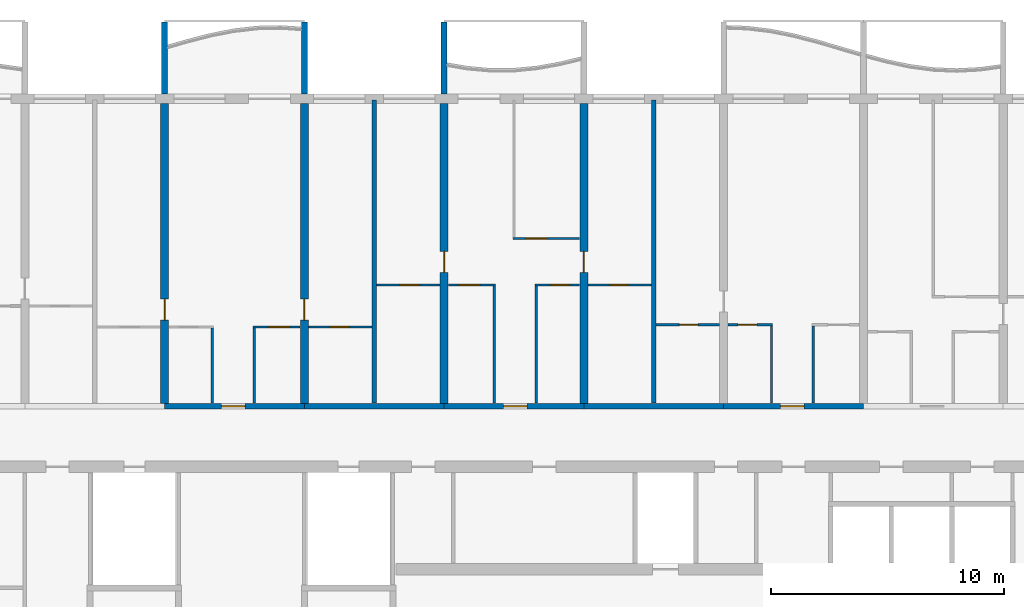
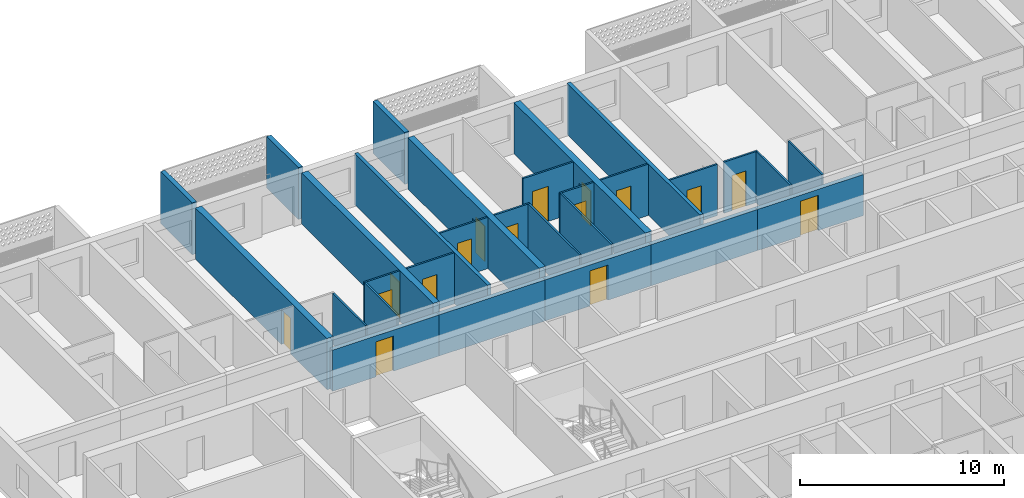
# One storey, part 10 of 30: 29 walls, 16 doors, 16 openings.
"""IFC4 building model written with IfcOpenShell, lengths in metres."""

from ifc_helpers import new_model, si_unit, direction, frame, frame_2d, origin, place, context, subcontext, project, spatial, polyline, rectangle, outline, extrude, source, transform, mapped, material, layer, layer_set, type_object, element, fill, save


model = new_model("IFC4")

# Units and contexts
model_context = context("Model", 3, precision=1e-05, world=origin(), true_north=direction((0.0, 1.0)))
body_context = subcontext(model_context, "Body", "Model", "MODEL_VIEW")
ifc_project = project(units=[si_unit("LENGTHUNIT", "METRE"), si_unit("AREAUNIT", "SQUARE_METRE"), si_unit("VOLUMEUNIT", "CUBIC_METRE"), si_unit("PLANEANGLEUNIT", "RADIAN"), si_unit("MASSUNIT", "GRAM", prefix="KILO")], contexts=[model_context])

# Site, building, storey
site_placement = place(None, origin())
site = spatial("IfcSite", under=ifc_project, at=site_placement, CompositionType="ELEMENT")
building_placement = place(site_placement, origin())
building = spatial("IfcBuilding", under=site, at=building_placement, Name="Poui Terraces", CompositionType="ELEMENT")
storey_placement = place(building_placement, frame((0.0, 0.0, 99.300048828125)))
storey = spatial("IfcBuildingStorey", under=building, at=storey_placement, Name="L27", CompositionType="ELEMENT", Elevation=99.300048828125)

# Wall, opening, door
ifc_material_1 = material(Name="Concrete 65 MPa", Category="concrete")
ifc_layer_1 = layer(ifc_material_1, 0.25)
ifc_layer_set_1 = layer_set([ifc_layer_1], Name="Concrete 65 MPa")
wall_type_1 = type_object("IfcWallType", Name="CORRIDOR WALL 250 65MPa", PredefinedType="SHEAR", material=ifc_layer_set_1)
wall_1_placement = place(storey_placement, frame((24.0, 30.39990234375, 0.0), z_axis=(0.0, 0.0, 1.0), x_axis=(1.0, 0.0, 0.0)))
wall_1 = element("IfcWall", 1, at=wall_1_placement, inside=storey, type_object=wall_type_1, Name="CORRIDOR WALL LINE E BAY 4", PredefinedType="SHEAR", context=body_context, shape_type="SweptSolid", body=[
    extrude(rectangle(XDim=6.0, YDim=0.25, at=frame_2d((3.0, 0.0))), origin(), (0.0, 0.0, 1.0), 2.4599609375),
])
opening_1_placement = place(wall_1_placement, frame((2.449951171875, 0.0, 0.0)))
opening_1 = element("IfcOpeningElement", 2, at=opening_1_placement, cuts=wall_1, Name="Opening FD30S", PredefinedType="OPENING", context=body_context, shape_type="SweptSolid", body=[
    extrude(rectangle(XDim=1.0, YDim=2.10009765625, at=frame_2d((0.5, 1.050048828125))), frame((0.0, 0.135009765625, 0.0), z_axis=(0.0, -1.0, 0.0), x_axis=(1.0, 0.0, 0.0)), (0.0, 0.0, 1.0), 0.27001953125),
])
ifc_material_2 = material(Name="Steel fire door", Category="steel")
door_type_1 = type_object("IfcDoorType", Name="FLAT ENTRANCE DOOR 1000 X 2100", OperationType="NOTDEFINED", PredefinedType="DOOR", material=ifc_material_2)
door_1_placement = place(opening_1_placement, origin())
door_1 = element("IfcDoor", 3, at=door_1_placement, inside=storey, type_object=door_type_1, Name="FLAT ENTRANCE DOOR 042", OperationType="SINGLE_SWING_LEFT", OverallHeight=2.10009765625, OverallWidth=1.0, PredefinedType="DOOR", context=body_context, shape_type="SweptSolid", body=[
    extrude(rectangle(XDim=1.0, YDim=2.10009765625, at=frame_2d((0.5, 1.050048828125))), frame((0.0, 0.02490234375, 0.0), z_axis=(0.0, -1.0, 0.0), x_axis=(1.0, 0.0, 0.0)), (0.0, 0.0, 1.0), 0.050048828125),
])
fill(opening_1, door_1)

# Wall
wall_2_placement = place(storey_placement, frame((30.0, 30.39990234375, 0.0), z_axis=(0.0, 0.0, 1.0), x_axis=(1.0, 0.0, 0.0)))
element("IfcWall", 4, at=wall_2_placement, inside=storey, type_object=wall_type_1, Name="CORRIDOR WALL LINE E BAY 5", PredefinedType="SHEAR", context=body_context, shape_type="SweptSolid", body=[
    extrude(rectangle(XDim=6.0, YDim=0.25, at=frame_2d((3.0, 0.0))), origin(), (0.0, 0.0, 1.0), 2.4599609375),
])

# Wall, opening, door
wall_3_placement = place(storey_placement, frame((36.0, 30.39990234375, 0.0), z_axis=(0.0, 0.0, 1.0), x_axis=(1.0, 0.0, 0.0)))
wall_3 = element("IfcWall", 5, at=wall_3_placement, inside=storey, type_object=wall_type_1, Name="CORRIDOR WALL LINE E BAY 6", PredefinedType="SHEAR", context=body_context, shape_type="SweptSolid", body=[
    extrude(rectangle(XDim=6.0, YDim=0.25, at=frame_2d((3.0, 0.0))), origin(), (0.0, 0.0, 1.0), 2.4599609375),
])
opening_2_placement = place(wall_3_placement, frame((2.550048828125, 0.0, 0.0)))
opening_2 = element("IfcOpeningElement", 6, at=opening_2_placement, cuts=wall_3, Name="Opening FD30S", PredefinedType="OPENING", context=body_context, shape_type="SweptSolid", body=[
    extrude(rectangle(XDim=1.0, YDim=2.10009765625, at=frame_2d((0.5, 1.050048828125))), frame((0.0, 0.135009765625, 0.0), z_axis=(0.0, -1.0, 0.0), x_axis=(1.0, 0.0, 0.0)), (0.0, 0.0, 1.0), 0.27001953125),
])
door_2_placement = place(opening_2_placement, origin())
door_2 = element("IfcDoor", 7, at=door_2_placement, inside=storey, type_object=door_type_1, Name="FLAT ENTRANCE DOOR 049", OperationType="SINGLE_SWING_RIGHT", OverallHeight=2.10009765625, OverallWidth=1.0, PredefinedType="DOOR", context=body_context, shape_type="SweptSolid", body=[
    extrude(rectangle(XDim=1.0, YDim=2.10009765625, at=frame_2d((0.5, 1.050048828125))), frame((0.0, 0.02490234375, 0.0), z_axis=(0.0, -1.0, 0.0), x_axis=(1.0, 0.0, 0.0)), (0.0, 0.0, 1.0), 0.050048828125),
])
fill(opening_2, door_2)

# Wall
wall_4_placement = place(storey_placement, frame((42.0, 30.39990234375, 0.0), z_axis=(0.0, 0.0, 1.0), x_axis=(1.0, 0.0, 0.0)))
element("IfcWall", 8, at=wall_4_placement, inside=storey, type_object=wall_type_1, Name="CORRIDOR WALL LINE E BAY 7", PredefinedType="SHEAR", context=body_context, shape_type="SweptSolid", body=[
    extrude(rectangle(XDim=6.0, YDim=0.25, at=frame_2d((3.0, 0.0))), origin(), (0.0, 0.0, 1.0), 2.4599609375),
])

# Wall, opening, door
wall_5_placement = place(storey_placement, frame((48.0, 30.39990234375, 0.0), z_axis=(0.0, 0.0, 1.0), x_axis=(1.0, 0.0, 0.0)))
wall_5 = element("IfcWall", 9, at=wall_5_placement, inside=storey, type_object=wall_type_1, Name="CORRIDOR WALL LINE E BAY 8", PredefinedType="SHEAR", context=body_context, shape_type="SweptSolid", body=[
    extrude(rectangle(XDim=6.0, YDim=0.25, at=frame_2d((3.0, 0.0))), origin(), (0.0, 0.0, 1.0), 2.4599609375),
])
opening_3_placement = place(wall_5_placement, frame((2.449951171875, 0.0, 0.0)))
opening_3 = element("IfcOpeningElement", 10, at=opening_3_placement, cuts=wall_5, Name="Opening FD30S", PredefinedType="OPENING", context=body_context, shape_type="SweptSolid", body=[
    extrude(rectangle(XDim=1.0, YDim=2.10009765625, at=frame_2d((0.5, 1.050048828125))), frame((0.0, 0.135009765625, 0.0), z_axis=(0.0, -1.0, 0.0), x_axis=(1.0, 0.0, 0.0)), (0.0, 0.0, 1.0), 0.27001953125),
])
door_3_placement = place(opening_3_placement, origin())
door_3 = element("IfcDoor", 11, at=door_3_placement, inside=storey, type_object=door_type_1, Name="FLAT ENTRANCE DOOR 056", OperationType="SINGLE_SWING_LEFT", OverallHeight=2.10009765625, OverallWidth=1.0, PredefinedType="DOOR", context=body_context, shape_type="SweptSolid", body=[
    extrude(rectangle(XDim=1.0, YDim=2.10009765625, at=frame_2d((0.5, 1.050048828125))), frame((0.0, 0.02490234375, 0.0), z_axis=(0.0, -1.0, 0.0), x_axis=(1.0, 0.0, 0.0)), (0.0, 0.0, 1.0), 0.050048828125),
])
fill(opening_3, door_3)

ifc_layer_2 = layer(ifc_material_1, 0.35009765625)
ifc_layer_set_2 = layer_set([ifc_layer_2], Name="Concrete 65 MPa")
wall_type_2 = type_object("IfcWallType", Name="CROSS WALL 350 65MPa", PredefinedType="SHEAR", material=ifc_layer_set_2)
wall_6_placement = place(storey_placement, frame((24.0, 30.52490234375, 0.0), z_axis=(0.0, 0.0, 1.0), x_axis=(0.0, 1.0, 0.0)))
wall_6 = element("IfcWall", 12, at=wall_6_placement, inside=storey, type_object=wall_type_2, Name="CROSS WALL LINE 5 NORTH", PredefinedType="SHEAR", context=body_context, shape_type="SweptSolid", body=[
    extrude(rectangle(XDim=12.875, YDim=0.35009765625, at=frame_2d((6.4375, 0.0))), origin(), (0.0, 0.0, 1.0), 3.06005859375),
])
opening_4_placement = place(wall_6_placement, frame((3.574951171875, 0.0, 0.0)))
opening_4 = element("IfcOpeningElement", 13, at=opening_4_placement, cuts=wall_6, Name="Opening D90", PredefinedType="OPENING", context=body_context, shape_type="SweptSolid", body=[
    extrude(rectangle(XDim=0.89990234375, YDim=2.10009765625, at=frame_2d((0.449951171875, 1.050048828125))), frame((0.0, 0.18505859375, 0.0), z_axis=(0.0, -1.0, 0.0), x_axis=(1.0, 0.0, 0.0)), (0.0, 0.0, 1.0), 0.3701171875),
])
ifc_material_3 = material(Name="Solid core timber door", Category="wood")
door_type_2 = type_object("IfcDoorType", Name="INTERNAL DOOR 900 X 2100", OperationType="NOTDEFINED", PredefinedType="DOOR", material=ifc_material_3)
door_4_placement = place(opening_4_placement, origin())
door_4 = element("IfcDoor", 14, at=door_4_placement, inside=storey, type_object=door_type_2, Name="INTERNAL DOOR 040", OperationType="SINGLE_SWING_LEFT", OverallHeight=2.10009765625, OverallWidth=0.89990234375, PredefinedType="DOOR", context=body_context, shape_type="SweptSolid", body=[
    extrude(rectangle(XDim=0.89990234375, YDim=2.10009765625, at=frame_2d((0.449951171875, 1.050048828125))), frame((0.0, 0.02490234375, 0.0), z_axis=(0.0, -1.0, 0.0), x_axis=(1.0, 0.0, 0.0)), (0.0, 0.0, 1.0), 0.050048828125),
])
fill(opening_4, door_4)

wall_7_placement = place(storey_placement, frame((30.0, 30.52490234375, 0.0), z_axis=(0.0, 0.0, 1.0), x_axis=(0.0, 1.0, 0.0)))
wall_7 = element("IfcWall", 15, at=wall_7_placement, inside=storey, type_object=wall_type_2, Name="CROSS WALL LINE 6 NORTH", PredefinedType="SHEAR", context=body_context, shape_type="SweptSolid", body=[
    extrude(rectangle(XDim=12.875, YDim=0.35009765625, at=frame_2d((6.4375, 0.0))), origin(), (0.0, 0.0, 1.0), 3.06005859375),
])
opening_5_placement = place(wall_7_placement, frame((3.574951171875, 0.0, 0.0)))
opening_5 = element("IfcOpeningElement", 16, at=opening_5_placement, cuts=wall_7, Name="Opening D90", PredefinedType="OPENING", context=body_context, shape_type="SweptSolid", body=[
    extrude(rectangle(XDim=0.89990234375, YDim=2.10009765625, at=frame_2d((0.449951171875, 1.050048828125))), frame((0.0, 0.18505859375, 0.0), z_axis=(0.0, -1.0, 0.0), x_axis=(1.0, 0.0, 0.0)), (0.0, 0.0, 1.0), 0.3701171875),
])
door_5_placement = place(opening_5_placement, frame((0.89990234375, 0.0, 0.0), z_axis=(0.0, 0.0, 1.0), x_axis=(-1.0, 0.0, 0.0)))
door_5 = element("IfcDoor", 17, at=door_5_placement, inside=storey, type_object=door_type_2, Name="INTERNAL DOOR 044", OperationType="SINGLE_SWING_RIGHT", OverallHeight=2.10009765625, OverallWidth=0.89990234375, PredefinedType="DOOR", context=body_context, shape_type="SweptSolid", body=[
    extrude(rectangle(XDim=0.89990234375, YDim=2.10009765625, at=frame_2d((0.449951171875, 1.050048828125))), frame((0.0, 0.02490234375, 0.0), z_axis=(0.0, -1.0, 0.0), x_axis=(1.0, 0.0, 0.0)), (0.0, 0.0, 1.0), 0.050048828125),
])
fill(opening_5, door_5)

wall_8_placement = place(storey_placement, frame((36.0, 30.52490234375, 0.0), z_axis=(0.0, 0.0, 1.0), x_axis=(0.0, 1.0, 0.0)))
wall_8 = element("IfcWall", 18, at=wall_8_placement, inside=storey, type_object=wall_type_2, Name="CROSS WALL LINE 7 NORTH", PredefinedType="SHEAR", context=body_context, shape_type="SweptSolid", body=[
    extrude(rectangle(XDim=12.875, YDim=0.35009765625, at=frame_2d((6.4375, 0.0))), origin(), (0.0, 0.0, 1.0), 3.06005859375),
])
opening_6_placement = place(wall_8_placement, frame((5.625, 0.0, 0.0)))
opening_6 = element("IfcOpeningElement", 19, at=opening_6_placement, cuts=wall_8, Name="Opening D90", PredefinedType="OPENING", context=body_context, shape_type="SweptSolid", body=[
    extrude(rectangle(XDim=0.89990234375, YDim=2.10009765625, at=frame_2d((0.449951171875, 1.050048828125))), frame((0.0, 0.18505859375, 0.0), z_axis=(0.0, -1.0, 0.0), x_axis=(1.0, 0.0, 0.0)), (0.0, 0.0, 1.0), 0.3701171875),
])
door_6_placement = place(opening_6_placement, origin())
door_6 = element("IfcDoor", 20, at=door_6_placement, inside=storey, type_object=door_type_2, Name="INTERNAL DOOR 047", OperationType="SINGLE_SWING_LEFT", OverallHeight=2.10009765625, OverallWidth=0.89990234375, PredefinedType="DOOR", context=body_context, shape_type="SweptSolid", body=[
    extrude(rectangle(XDim=0.89990234375, YDim=2.10009765625, at=frame_2d((0.449951171875, 1.050048828125))), frame((0.0, 0.02490234375, 0.0), z_axis=(0.0, -1.0, 0.0), x_axis=(1.0, 0.0, 0.0)), (0.0, 0.0, 1.0), 0.050048828125),
])
fill(opening_6, door_6)

wall_9_placement = place(storey_placement, frame((42.0, 30.52490234375, 0.0), z_axis=(0.0, 0.0, 1.0), x_axis=(0.0, 1.0, 0.0)))
wall_9 = element("IfcWall", 21, at=wall_9_placement, inside=storey, type_object=wall_type_2, Name="CROSS WALL LINE 8 NORTH", PredefinedType="SHEAR", context=body_context, shape_type="SweptSolid", body=[
    extrude(rectangle(XDim=12.875, YDim=0.35009765625, at=frame_2d((6.4375, 0.0))), origin(), (0.0, 0.0, 1.0), 3.06005859375),
])
opening_7_placement = place(wall_9_placement, frame((5.625, 0.0, 0.0)))
opening_7 = element("IfcOpeningElement", 22, at=opening_7_placement, cuts=wall_9, Name="Opening D90", PredefinedType="OPENING", context=body_context, shape_type="SweptSolid", body=[
    extrude(rectangle(XDim=0.89990234375, YDim=2.10009765625, at=frame_2d((0.449951171875, 1.050048828125))), frame((0.0, 0.18505859375, 0.0), z_axis=(0.0, -1.0, 0.0), x_axis=(1.0, 0.0, 0.0)), (0.0, 0.0, 1.0), 0.3701171875),
])
door_7_placement = place(opening_7_placement, frame((0.89990234375, 0.0, 0.0), z_axis=(0.0, 0.0, 1.0), x_axis=(-1.0, 0.0, 0.0)))
door_7 = element("IfcDoor", 23, at=door_7_placement, inside=storey, type_object=door_type_2, Name="INTERNAL DOOR 052", OperationType="SINGLE_SWING_RIGHT", OverallHeight=2.10009765625, OverallWidth=0.89990234375, PredefinedType="DOOR", context=body_context, shape_type="SweptSolid", body=[
    extrude(rectangle(XDim=0.89990234375, YDim=2.10009765625, at=frame_2d((0.449951171875, 1.050048828125))), frame((0.0, 0.02490234375, 0.0), z_axis=(0.0, -1.0, 0.0), x_axis=(1.0, 0.0, 0.0)), (0.0, 0.0, 1.0), 0.050048828125),
])
fill(opening_7, door_7)

ifc_material_4 = material(Name="Plasterboard partition")
ifc_layer_3 = layer(ifc_material_4, 0.10009765625)
ifc_layer_set_3 = layer_set([ifc_layer_3], Name="Plasterboard partition")
wall_type_3 = type_object("IfcWallType", Name="FLAT PARTITION 100", PredefinedType="PARTITIONING", material=ifc_layer_set_3)
wall_10_placement = place(storey_placement, frame((27.800048828125, 33.800048828125, 0.0), z_axis=(0.0, 0.0, 1.0), x_axis=(1.0, 0.0, 0.0)))
wall_10 = element("IfcWall", 24, at=wall_10_placement, inside=storey, type_object=wall_type_3, Name="FLAT PARTITION 100", PredefinedType="PARTITIONING", context=body_context, shape_type="SweptSolid", body=[
    extrude(rectangle(XDim=2.014892578125, YDim=0.10009765625, at=frame_2d((1.00732421875, 0.0))), origin(), (0.0, 0.0, 1.0), 3.06005859375),
])
opening_8_placement = place(wall_10_placement, frame((0.675048828125, 0.0, 0.0)))
opening_8 = element("IfcOpeningElement", 25, at=opening_8_placement, cuts=wall_10, Name="Opening D90", PredefinedType="OPENING", context=body_context, shape_type="SweptSolid", body=[
    extrude(rectangle(XDim=0.89990234375, YDim=2.10009765625, at=frame_2d((0.449951171875, 1.050048828125))), frame((0.0, 0.06005859375, 0.0), z_axis=(0.0, -1.0, 0.0), x_axis=(1.0, 0.0, 0.0)), (0.0, 0.0, 1.0), 0.1201171875),
])
door_8_placement = place(opening_8_placement, frame((0.89990234375, 0.0, 0.0), z_axis=(0.0, 0.0, 1.0), x_axis=(-1.0, 0.0, 0.0)))
door_8 = element("IfcDoor", 26, at=door_8_placement, inside=storey, type_object=door_type_2, Name="INTERNAL DOOR 043", OperationType="SINGLE_SWING_RIGHT", OverallHeight=2.10009765625, OverallWidth=0.89990234375, PredefinedType="DOOR", context=body_context, shape_type="SweptSolid", body=[
    extrude(rectangle(XDim=0.89990234375, YDim=2.10009765625, at=frame_2d((0.449951171875, 1.050048828125))), frame((0.0, 0.02490234375, 0.0), z_axis=(0.0, -1.0, 0.0), x_axis=(1.0, 0.0, 0.0)), (0.0, 0.0, 1.0), 0.050048828125),
])
fill(opening_8, door_8)

wall_11_placement = place(storey_placement, frame((30.18505859375, 33.800048828125, 0.0), z_axis=(0.0, 0.0, 1.0), x_axis=(1.0, 0.0, 0.0)))
wall_11 = element("IfcWall", 27, at=wall_11_placement, inside=storey, type_object=wall_type_3, Name="FLAT PARTITION 100", PredefinedType="PARTITIONING", context=body_context, shape_type="SweptSolid", body=[
    extrude(rectangle(XDim=2.71484375, YDim=0.10009765625, at=frame_2d((1.357421875, 0.0))), origin(), (0.0, 0.0, 1.0), 3.06005859375),
])
opening_9_placement = place(wall_11_placement, frame((0.9150390625, 0.0, 0.0)))
opening_9 = element("IfcOpeningElement", 28, at=opening_9_placement, cuts=wall_11, Name="Opening D80", PredefinedType="OPENING", context=body_context, shape_type="SweptSolid", body=[
    extrude(rectangle(XDim=0.800048828125, YDim=2.10009765625, at=frame_2d((0.39990234375, 1.050048828125))), frame((0.0, 0.06005859375, 0.0), z_axis=(0.0, -1.0, 0.0), x_axis=(1.0, 0.0, 0.0)), (0.0, 0.0, 1.0), 0.1201171875),
])
door_type_3 = type_object("IfcDoorType", Name="BATHROOM, LAUNDRY AND STORE DOOR 800 X 2100", OperationType="NOTDEFINED", PredefinedType="DOOR", material=ifc_material_3)
door_9_placement = place(opening_9_placement, frame((0.800048828125, 0.0, 0.0), z_axis=(0.0, 0.0, 1.0), x_axis=(-1.0, 0.0, 0.0)))
door_9 = element("IfcDoor", 29, at=door_9_placement, inside=storey, type_object=door_type_3, Name="BATHROOM, LAUNDRY AND STORE DOOR 039", OperationType="SINGLE_SWING_RIGHT", OverallHeight=2.10009765625, OverallWidth=0.800048828125, PredefinedType="DOOR", context=body_context, shape_type="SweptSolid", body=[
    extrude(rectangle(XDim=0.800048828125, YDim=2.10009765625, at=frame_2d((0.39990234375, 1.050048828125))), frame((0.0, 0.02490234375, 0.0), z_axis=(0.0, -1.0, 0.0), x_axis=(1.0, 0.0, 0.0)), (0.0, 0.0, 1.0), 0.050048828125),
])
fill(opening_9, door_9)

wall_12_placement = place(storey_placement, frame((45.10009765625, 33.89990234375, 0.0), z_axis=(0.0, 0.0, 1.0), x_axis=(1.0, 0.0, 0.0)))
wall_12 = element("IfcWall", 30, at=wall_12_placement, inside=storey, type_object=wall_type_3, Name="FLAT PARTITION 100", PredefinedType="PARTITIONING", context=body_context, shape_type="SweptSolid", body=[
    extrude(rectangle(XDim=2.71484375, YDim=0.10009765625, at=frame_2d((1.357421875, 0.0))), origin(), (0.0, 0.0, 1.0), 3.06005859375),
])
opening_10_placement = place(wall_12_placement, frame((1.0, 0.0, 0.0)))
opening_10 = element("IfcOpeningElement", 31, at=opening_10_placement, cuts=wall_12, Name="Opening D80", PredefinedType="OPENING", context=body_context, shape_type="SweptSolid", body=[
    extrude(rectangle(XDim=0.800048828125, YDim=2.10009765625, at=frame_2d((0.39990234375, 1.050048828125))), frame((0.0, 0.06005859375, 0.0), z_axis=(0.0, -1.0, 0.0), x_axis=(1.0, 0.0, 0.0)), (0.0, 0.0, 1.0), 0.1201171875),
])
door_10_placement = place(opening_10_placement, frame((0.800048828125, 0.0, 0.0), z_axis=(0.0, 0.0, 1.0), x_axis=(-1.0, 0.0, 0.0)))
door_10 = element("IfcDoor", 32, at=door_10_placement, inside=storey, type_object=door_type_3, Name="BATHROOM, LAUNDRY AND STORE DOOR 053", OperationType="SINGLE_SWING_RIGHT", OverallHeight=2.10009765625, OverallWidth=0.800048828125, PredefinedType="DOOR", context=body_context, shape_type="SweptSolid", body=[
    extrude(rectangle(XDim=0.800048828125, YDim=2.10009765625, at=frame_2d((0.39990234375, 1.050048828125))), frame((0.0, 0.02490234375, 0.0), z_axis=(0.0, -1.0, 0.0), x_axis=(1.0, 0.0, 0.0)), (0.0, 0.0, 1.0), 0.050048828125),
])
fill(opening_10, door_10)

wall_13_placement = place(storey_placement, frame((48.18505859375, 33.89990234375, 0.0), z_axis=(0.0, 0.0, 1.0), x_axis=(1.0, 0.0, 0.0)))
wall_13 = element("IfcWall", 33, at=wall_13_placement, inside=storey, type_object=wall_type_3, Name="FLAT PARTITION 100", PredefinedType="PARTITIONING", context=body_context, shape_type="SweptSolid", body=[
    extrude(rectangle(XDim=1.9150390625, YDim=0.10009765625, at=frame_2d((0.95751953125, 0.0))), origin(), (0.0, 0.0, 1.0), 3.06005859375),
])
opening_11_placement = place(wall_13_placement, frame((0.43994140625, 0.0, 0.0)))
opening_11 = element("IfcOpeningElement", 34, at=opening_11_placement, cuts=wall_13, Name="Opening D80", PredefinedType="OPENING", context=body_context, shape_type="SweptSolid", body=[
    extrude(rectangle(XDim=0.800048828125, YDim=2.10009765625, at=frame_2d((0.39990234375, 1.050048828125))), frame((0.0, 0.06005859375, 0.0), z_axis=(0.0, -1.0, 0.0), x_axis=(1.0, 0.0, 0.0)), (0.0, 0.0, 1.0), 0.1201171875),
])
door_11_placement = place(opening_11_placement, frame((0.800048828125, 0.0, 0.0), z_axis=(0.0, 0.0, 1.0), x_axis=(-1.0, 0.0, 0.0)))
door_11 = element("IfcDoor", 35, at=door_11_placement, inside=storey, type_object=door_type_3, Name="BATHROOM, LAUNDRY AND STORE DOOR 055", OperationType="SINGLE_SWING_LEFT", OverallHeight=2.10009765625, OverallWidth=0.800048828125, PredefinedType="DOOR", context=body_context, shape_type="SweptSolid", body=[
    extrude(rectangle(XDim=0.800048828125, YDim=2.10009765625, at=frame_2d((0.39990234375, 1.050048828125))), frame((0.0, 0.02490234375, 0.0), z_axis=(0.0, -1.0, 0.0), x_axis=(1.0, 0.0, 0.0)), (0.0, 0.0, 1.0), 0.050048828125),
])
fill(opening_11, door_11)

wall_14_placement = place(storey_placement, frame((33.10009765625, 35.60009765625, 0.0), z_axis=(0.0, 0.0, 1.0), x_axis=(1.0, 0.0, 0.0)))
wall_14 = element("IfcWall", 36, at=wall_14_placement, inside=storey, type_object=wall_type_3, Name="FLAT PARTITION 100", PredefinedType="PARTITIONING", context=body_context, shape_type="SweptSolid", body=[
    extrude(rectangle(XDim=2.71484375, YDim=0.10009765625, at=frame_2d((1.357421875, 0.0))), origin(), (0.0, 0.0, 1.0), 3.06005859375),
])
opening_12_placement = place(wall_14_placement, frame((1.0, 0.0, 0.0)))
opening_12 = element("IfcOpeningElement", 37, at=opening_12_placement, cuts=wall_14, Name="Opening D80", PredefinedType="OPENING", context=body_context, shape_type="SweptSolid", body=[
    extrude(rectangle(XDim=0.800048828125, YDim=2.10009765625, at=frame_2d((0.39990234375, 1.050048828125))), frame((0.0, 0.06005859375, 0.0), z_axis=(0.0, -1.0, 0.0), x_axis=(1.0, 0.0, 0.0)), (0.0, 0.0, 1.0), 0.1201171875),
])
door_12_placement = place(opening_12_placement, frame((0.800048828125, 0.0, 0.0), z_axis=(0.0, 0.0, 1.0), x_axis=(-1.0, 0.0, 0.0)))
door_12 = element("IfcDoor", 38, at=door_12_placement, inside=storey, type_object=door_type_3, Name="BATHROOM, LAUNDRY AND STORE DOOR 045", OperationType="SINGLE_SWING_LEFT", OverallHeight=2.10009765625, OverallWidth=0.800048828125, PredefinedType="DOOR", context=body_context, shape_type="SweptSolid", body=[
    extrude(rectangle(XDim=0.800048828125, YDim=2.10009765625, at=frame_2d((0.39990234375, 1.050048828125))), frame((0.0, 0.02490234375, 0.0), z_axis=(0.0, -1.0, 0.0), x_axis=(1.0, 0.0, 0.0)), (0.0, 0.0, 1.0), 0.050048828125),
])
fill(opening_12, door_12)

wall_15_placement = place(storey_placement, frame((36.18505859375, 35.60009765625, 0.0), z_axis=(0.0, 0.0, 1.0), x_axis=(1.0, 0.0, 0.0)))
wall_15 = element("IfcWall", 39, at=wall_15_placement, inside=storey, type_object=wall_type_3, Name="FLAT PARTITION 100", PredefinedType="PARTITIONING", context=body_context, shape_type="SweptSolid", body=[
    extrude(rectangle(XDim=2.014892578125, YDim=0.10009765625, at=frame_2d((1.00732421875, 0.0))), origin(), (0.0, 0.0, 1.0), 3.06005859375),
])
opening_13_placement = place(wall_15_placement, frame((0.43994140625, 0.0, 0.0)))
opening_13 = element("IfcOpeningElement", 40, at=opening_13_placement, cuts=wall_15, Name="Opening D90", PredefinedType="OPENING", context=body_context, shape_type="SweptSolid", body=[
    extrude(rectangle(XDim=0.89990234375, YDim=2.10009765625, at=frame_2d((0.449951171875, 1.050048828125))), frame((0.0, 0.06005859375, 0.0), z_axis=(0.0, -1.0, 0.0), x_axis=(1.0, 0.0, 0.0)), (0.0, 0.0, 1.0), 0.1201171875),
])
door_13_placement = place(opening_13_placement, frame((0.89990234375, 0.0, 0.0), z_axis=(0.0, 0.0, 1.0), x_axis=(-1.0, 0.0, 0.0)))
door_13 = element("IfcDoor", 41, at=door_13_placement, inside=storey, type_object=door_type_2, Name="INTERNAL DOOR 048", OperationType="SINGLE_SWING_LEFT", OverallHeight=2.10009765625, OverallWidth=0.89990234375, PredefinedType="DOOR", context=body_context, shape_type="SweptSolid", body=[
    extrude(rectangle(XDim=0.89990234375, YDim=2.10009765625, at=frame_2d((0.449951171875, 1.050048828125))), frame((0.0, 0.02490234375, 0.0), z_axis=(0.0, -1.0, 0.0), x_axis=(1.0, 0.0, 0.0)), (0.0, 0.0, 1.0), 0.050048828125),
])
fill(opening_13, door_13)

wall_16_placement = place(storey_placement, frame((39.89990234375, 35.60009765625, 0.0), z_axis=(0.0, 0.0, 1.0), x_axis=(1.0, 0.0, 0.0)))
wall_16 = element("IfcWall", 42, at=wall_16_placement, inside=storey, type_object=wall_type_3, Name="FLAT PARTITION 100", PredefinedType="PARTITIONING", context=body_context, shape_type="SweptSolid", body=[
    extrude(rectangle(XDim=1.9150390625, YDim=0.10009765625, at=frame_2d((0.95751953125, 0.0))), origin(), (0.0, 0.0, 1.0), 3.06005859375),
])
opening_14_placement = place(wall_16_placement, frame((0.675048828125, 0.0, 0.0)))
opening_14 = element("IfcOpeningElement", 43, at=opening_14_placement, cuts=wall_16, Name="Opening D80", PredefinedType="OPENING", context=body_context, shape_type="SweptSolid", body=[
    extrude(rectangle(XDim=0.800048828125, YDim=2.10009765625, at=frame_2d((0.39990234375, 1.050048828125))), frame((0.0, 0.06005859375, 0.0), z_axis=(0.0, -1.0, 0.0), x_axis=(1.0, 0.0, 0.0)), (0.0, 0.0, 1.0), 0.1201171875),
])
door_14_placement = place(opening_14_placement, frame((0.800048828125, 0.0, 0.0), z_axis=(0.0, 0.0, 1.0), x_axis=(-1.0, 0.0, 0.0)))
door_14 = element("IfcDoor", 44, at=door_14_placement, inside=storey, type_object=door_type_3, Name="BATHROOM, LAUNDRY AND STORE DOOR 051", OperationType="SINGLE_SWING_RIGHT", OverallHeight=2.10009765625, OverallWidth=0.800048828125, PredefinedType="DOOR", context=body_context, shape_type="SweptSolid", body=[
    extrude(rectangle(XDim=0.800048828125, YDim=2.10009765625, at=frame_2d((0.39990234375, 1.050048828125))), frame((0.0, 0.02490234375, 0.0), z_axis=(0.0, -1.0, 0.0), x_axis=(1.0, 0.0, 0.0)), (0.0, 0.0, 1.0), 0.050048828125),
])
fill(opening_14, door_14)

wall_17_placement = place(storey_placement, frame((42.18505859375, 35.60009765625, 0.0), z_axis=(0.0, 0.0, 1.0), x_axis=(1.0, 0.0, 0.0)))
wall_17 = element("IfcWall", 45, at=wall_17_placement, inside=storey, type_object=wall_type_3, Name="FLAT PARTITION 100", PredefinedType="PARTITIONING", context=body_context, shape_type="SweptSolid", body=[
    extrude(rectangle(XDim=2.71484375, YDim=0.10009765625, at=frame_2d((1.357421875, 0.0))), origin(), (0.0, 0.0, 1.0), 3.06005859375),
])
opening_15_placement = place(wall_17_placement, frame((0.9150390625, 0.0, 0.0)))
opening_15 = element("IfcOpeningElement", 46, at=opening_15_placement, cuts=wall_17, Name="Opening D80", PredefinedType="OPENING", context=body_context, shape_type="SweptSolid", body=[
    extrude(rectangle(XDim=0.800048828125, YDim=2.10009765625, at=frame_2d((0.39990234375, 1.050048828125))), frame((0.0, 0.06005859375, 0.0), z_axis=(0.0, -1.0, 0.0), x_axis=(1.0, 0.0, 0.0)), (0.0, 0.0, 1.0), 0.1201171875),
])
door_15_placement = place(opening_15_placement, frame((0.800048828125, 0.0, 0.0), z_axis=(0.0, 0.0, 1.0), x_axis=(-1.0, 0.0, 0.0)))
door_15 = element("IfcDoor", 47, at=door_15_placement, inside=storey, type_object=door_type_3, Name="BATHROOM, LAUNDRY AND STORE DOOR 046", OperationType="SINGLE_SWING_LEFT", OverallHeight=2.10009765625, OverallWidth=0.800048828125, PredefinedType="DOOR", context=body_context, shape_type="SweptSolid", body=[
    extrude(rectangle(XDim=0.800048828125, YDim=2.10009765625, at=frame_2d((0.39990234375, 1.050048828125))), frame((0.0, 0.02490234375, 0.0), z_axis=(0.0, -1.0, 0.0), x_axis=(1.0, 0.0, 0.0)), (0.0, 0.0, 1.0), 0.050048828125),
])
fill(opening_15, door_15)

wall_18_placement = place(storey_placement, frame((38.949951171875, 37.60009765625, 0.0), z_axis=(0.0, 0.0, 1.0), x_axis=(1.0, 0.0, 0.0)))
wall_18 = element("IfcWall", 48, at=wall_18_placement, inside=storey, type_object=wall_type_3, Name="FLAT PARTITION 100", PredefinedType="PARTITIONING", context=body_context, shape_type="SweptSolid", body=[
    extrude(rectangle(XDim=2.864990234375, YDim=0.10009765625, at=frame_2d((1.4326171875, 0.0))), origin(), (0.0, 0.0, 1.0), 3.06005859375),
])
opening_16_placement = place(wall_18_placement, frame((0.550048828125, 0.0, 0.0)))
opening_16 = element("IfcOpeningElement", 49, at=opening_16_placement, cuts=wall_18, Name="Opening D90", PredefinedType="OPENING", context=body_context, shape_type="SweptSolid", body=[
    extrude(rectangle(XDim=0.89990234375, YDim=2.10009765625, at=frame_2d((0.449951171875, 1.050048828125))), frame((0.0, 0.06005859375, 0.0), z_axis=(0.0, -1.0, 0.0), x_axis=(1.0, 0.0, 0.0)), (0.0, 0.0, 1.0), 0.1201171875),
])
door_16_placement = place(opening_16_placement, origin())
door_16 = element("IfcDoor", 50, at=door_16_placement, inside=storey, type_object=door_type_2, Name="INTERNAL DOOR 050", OperationType="SINGLE_SWING_LEFT", OverallHeight=2.10009765625, OverallWidth=0.89990234375, PredefinedType="DOOR", context=body_context, shape_type="SweptSolid", body=[
    extrude(rectangle(XDim=0.89990234375, YDim=2.10009765625, at=frame_2d((0.449951171875, 1.050048828125))), frame((0.0, 0.02490234375, 0.0), z_axis=(0.0, -1.0, 0.0), x_axis=(1.0, 0.0, 0.0)), (0.0, 0.0, 1.0), 0.050048828125),
])
fill(opening_16, door_16)

# Walls
for number, where, z_axis, x_axis, name in (
    (51, (26.050048828125, 30.534912109375, 0.0), (0.0, 0.0, 1.0), (0.0, 1.0, 0.0), "FLAT PARTITION 100"),
    (52, (27.85009765625, 30.534912109375, 0.0), (0.0, 0.0, 1.0), (0.0, 1.0, 0.0), "FLAT PARTITION 100"),
):
    element("IfcWall", number, at=place(storey_placement, frame(where, z_axis=z_axis, x_axis=x_axis)), inside=storey, type_object=wall_type_3, Name=name, PredefinedType="PARTITIONING", context=body_context, shape_type="SweptSolid", body=[
        extrude(rectangle(XDim=3.215087890625, YDim=0.10009765625, at=frame_2d((1.607421875, 0.0))), origin(), (0.0, 0.0, 1.0), 3.06005859375),
    ])
for number, where, z_axis, x_axis, name in (
    (53, (38.14990234375, 30.534912109375, 0.0), (0.0, 0.0, 1.0), (0.0, 1.0, 0.0), "FLAT PARTITION 100"),
    (54, (39.949951171875, 30.534912109375, 0.0), (0.0, 0.0, 1.0), (0.0, 1.0, 0.0), "FLAT PARTITION 100"),
):
    element("IfcWall", number, at=place(storey_placement, frame(where, z_axis=z_axis, x_axis=x_axis)), inside=storey, type_object=wall_type_3, Name=name, PredefinedType="PARTITIONING", context=body_context, shape_type="SweptSolid", body=[
        extrude(rectangle(XDim=5.01513671875, YDim=0.10009765625, at=frame_2d((2.507568359375, 0.0))), origin(), (0.0, 0.0, 1.0), 3.06005859375),
    ])
for number, where, z_axis, x_axis, name in (
    (55, (50.050048828125, 30.534912109375, 0.0), (0.0, 0.0, 1.0), (0.0, 1.0, 0.0), "FLAT PARTITION 100"),
    (56, (51.85009765625, 30.534912109375, 0.0), (0.0, 0.0, 1.0), (0.0, 1.0, 0.0), "FLAT PARTITION 100"),
):
    element("IfcWall", number, at=place(storey_placement, frame(where, z_axis=z_axis, x_axis=x_axis)), inside=storey, type_object=wall_type_3, Name=name, PredefinedType="PARTITIONING", context=body_context, shape_type="SweptSolid", body=[
        extrude(rectangle(XDim=3.315185546875, YDim=0.10009765625, at=frame_2d((1.65771484375, 0.0))), origin(), (0.0, 0.0, 1.0), 3.06005859375),
    ])
ifc_material_5 = material(Name="Fire-rated masonry wall", Category="masonry")
ifc_layer_4 = layer(ifc_material_5, 0.199951171875)
ifc_layer_set_4 = layer_set([ifc_layer_4], Name="Fire-rated masonry wall")
wall_type_4 = type_object("IfcWallType", Name="FLAT PARTY WALL 200", PredefinedType="PARTITIONING", material=ifc_layer_set_4)
for number, where, z_axis, x_axis, name in (
    (57, (33.0, 30.534912109375, 0.0), (0.0, 0.0, 1.0), (0.0, 1.0, 0.0), "FLAT PARTY WALL 200"),
    (58, (45.0, 30.534912109375, 0.0), (0.0, 0.0, 1.0), (0.0, 1.0, 0.0), "FLAT PARTY WALL 200"),
):
    element("IfcWall", number, at=place(storey_placement, frame(where, z_axis=z_axis, x_axis=x_axis)), inside=storey, type_object=wall_type_4, Name=name, PredefinedType="PARTITIONING", context=body_context, shape_type="SweptSolid", body=[
        extrude(rectangle(XDim=13.005126953125, YDim=0.199951171875, at=frame_2d((6.50244140625, 0.0))), origin(), (0.0, 0.0, 1.0), 3.06005859375),
    ])
ifc_material_6 = material(Name="Precast concrete 40 MPa", Category="concrete")
ifc_layer_5 = layer(ifc_material_6, 0.25)
ifc_layer_set_5 = layer_set([ifc_layer_5], Name="Precast concrete 40 MPa")
wall_type_5 = type_object("IfcWallType", Name="BALCONY FIN 250", PredefinedType="STANDARD", material=ifc_layer_set_5)
shared_shape = source(origin(), body_context, "Body", "SweptSolid", [
    extrude(outline(polyline([(0.0, 0.0), (0.25, 0.0), (0.25, 3.099853515625), (0.0, 3.099853515625), (0.0, 0.0)])), origin(), (0.0, 0.0, 1.0), 3.099853515625),
])
for number, where, name in (
    (59, (23.875, 43.800048828125, 0.0), "BALCONY FIN"),
    (60, (29.875, 43.800048828125, 0.0), "BALCONY FIN"),
    (61, (35.875, 43.800048828125, 0.0), "BALCONY FIN"),
):
    element("IfcWall", number, at=place(storey_placement, frame(where)), inside=storey, type_object=wall_type_5, Name=name, PredefinedType="STANDARD", context=body_context, shape_type="MappedRepresentation", body=[
        mapped(shared_shape, transform((0.0, 0.0, 0.0))),
    ])

save(model, "model.ifc")
